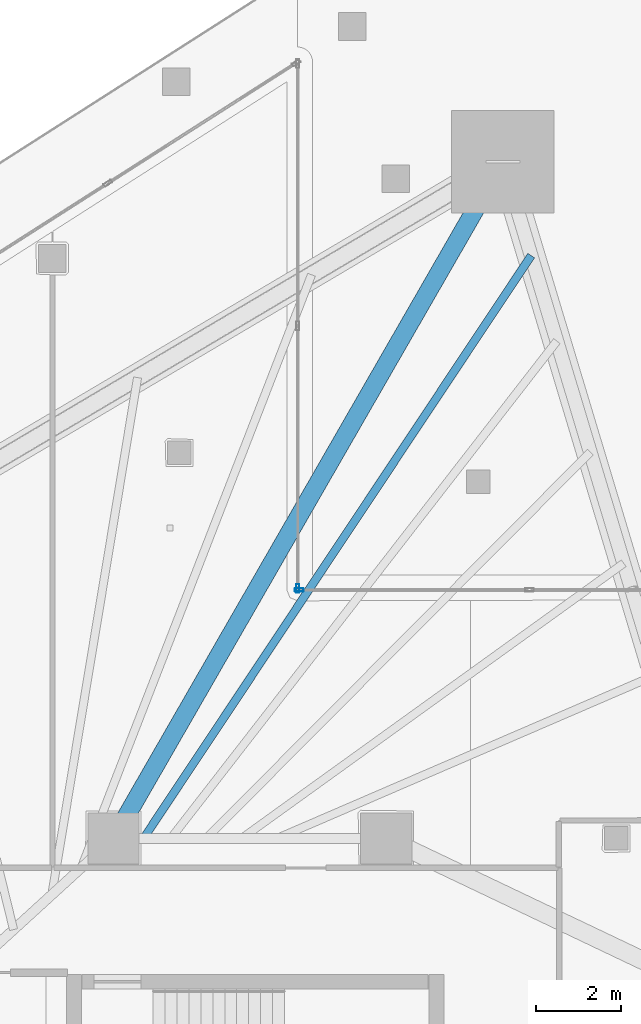
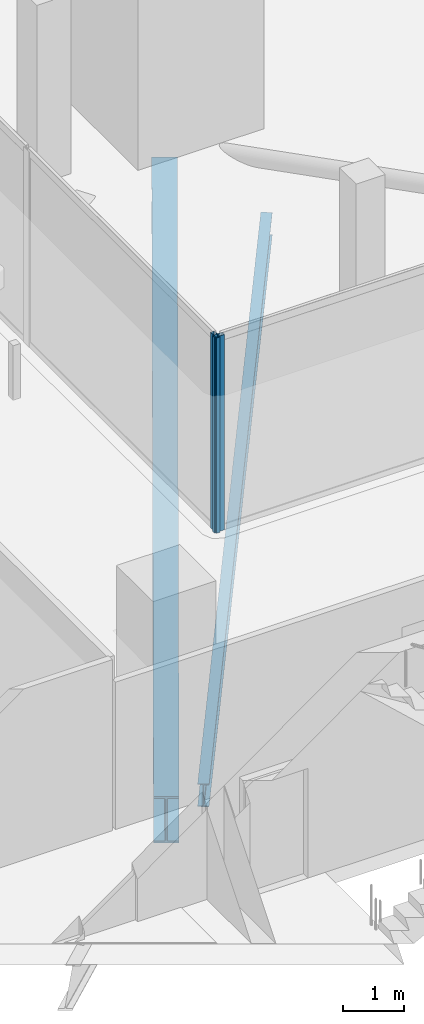
# One storey, part 18 of 47: 2 beams, 2 members, 2 elements without a shape of their own.
"""IFC4 building model written with IfcOpenShell, lengths in metres."""

from ifc_helpers import new_model, si_unit, direction, frame, origin, origin_2d, place, context, subcontext, project, spatial, hollow_rectangle, i_section, extrude, material, layer, layer_set, material_profile, profile_set, type_object, element, aggregate, save


model = new_model("IFC4")

# Units and contexts
model_context = context("Model", 3, precision=1e-05, world=origin(), true_north=direction((0.0, 1.0)))
body_context = subcontext(model_context, "Body", "Model", "MODEL_VIEW")
ifc_project = project(units=[si_unit("LENGTHUNIT", "METRE"), si_unit("AREAUNIT", "SQUARE_METRE"), si_unit("VOLUMEUNIT", "CUBIC_METRE"), si_unit("PLANEANGLEUNIT", "RADIAN"), si_unit("MASSUNIT", "GRAM", prefix="KILO")], contexts=[model_context])

# Site, building, storey
site_placement = place(None, origin())
site = spatial("IfcSite", under=ifc_project, at=site_placement, CompositionType="ELEMENT")
building_placement = place(site_placement, origin())
building = spatial("IfcBuilding", under=site, at=building_placement, Name="Qorvath Tower", CompositionType="ELEMENT")
storey_placement = place(building_placement, frame((0.0, 0.0, 74.39990234375)))
storey = spatial("IfcBuildingStorey", under=building, at=storey_placement, Name="L16", CompositionType="ELEMENT", Elevation=74.39990234375)

# Beams
ifc_material_1 = material(Name="Steel ASTM A992 Grade 50", Category="steel")
ifc_material_profile_1 = material_profile(ifc_material_1, i_section(OverallWidth=0.422119140625, OverallDepth=0.93310546875, WebThickness=0.021240234375, FlangeThickness=0.039794921875, FilletRadius=0.02392578125, at=origin_2d()), Name="W36x262")
ifc_profile_set_1 = profile_set([ifc_material_profile_1], Name="Steel ASTM A992 Grade 50")
beam_type_1 = type_object("IfcBeamType", Name="BM-FG1", PredefinedType="BEAM", material=ifc_profile_set_1)
beam_1_placement = place(storey_placement, frame((-23.60009765625, 11.449951171875, -0.746337890625), z_axis=(0.498645367714, 0.866806089767, 0.0), x_axis=(-0.866806089767, 0.498645367714, 0.0)))
element("IfcBeam", 1, at=beam_1_placement, inside=storey, type_object=beam_type_1, Name="Radial Floor Girder CC1-MC6 L16", PredefinedType="BEAM", context=body_context, shape_type="SweptSolid", body=[
    extrude(i_section(OverallWidth=0.422119140625, OverallDepth=0.93310546875, WebThickness=0.021240234375, FlangeThickness=0.039794921875, FilletRadius=0.02392578125, at=origin_2d()), origin(), (0.0, 0.0, 1.0), 18.321044921875),
])
ifc_material_2 = material(Name="Steel ASTM A992 Grade 50", Category="steel")
ifc_material_profile_2 = material_profile(ifc_material_2, i_section(OverallWidth=0.18994140625, OverallDepth=0.45703125, WebThickness=0.009033203125, FlangeThickness=0.014404296875, FilletRadius=0.011962890625, at=origin_2d()), Name="W18x50")
ifc_profile_set_2 = profile_set([ifc_material_profile_2], Name="Steel ASTM A992 Grade 50")
beam_type_2 = type_object("IfcBeamType", Name="BM-FJ2", PredefinedType="JOIST", material=ifc_profile_set_2)
beam_2_placement = place(storey_placement, frame((-22.89599609375, 11.449951171875, -0.50830078125), z_axis=(0.553811384989, 0.83264214994, 0.0), x_axis=(-0.83264214994, 0.553811384989, 0.0)))
element("IfcBeam", 2, at=beam_2_placement, inside=storey, type_object=beam_type_2, Name="Composite Floor Joist NE7 L16", PredefinedType="JOIST", context=body_context, shape_type="SweptSolid", body=[
    extrude(i_section(OverallWidth=0.18994140625, OverallDepth=0.45703125, WebThickness=0.009033203125, FlangeThickness=0.014404296875, FilletRadius=0.011962890625, at=origin_2d()), origin(), (0.0, 0.0, 1.0), 16.42333984375),
])

# Curtain wall, member
ifc_material_3 = material(Name="Anodised aluminium and triple low-E glass", Category="aluminium")
ifc_layer = layer(ifc_material_3, 0.179931640625)
ifc_layer_set = layer_set([ifc_layer], Name="CW-SYS-5")
curtain_wall_type = type_object("IfcCurtainWallType", Name="CW-SYS-5", PredefinedType="NOTDEFINED", material=ifc_layer_set)
curtain_wall_1_placement = place(storey_placement, origin())
curtain_wall_1 = element("IfcCurtainWall", 3, at=curtain_wall_1_placement, inside=storey, type_object=curtain_wall_type, Name="Curtain Wall CW-5 CW-T-L16-2.1", PredefinedType="NOTDEFINED")
ifc_material_4 = material(Name="Anodised aluminium 6063-T6", Category="aluminium")
ifc_material_profile_3 = material_profile(ifc_material_4, hollow_rectangle(XDim=0.074951171875, YDim=0.199951171875, WallThickness=0.00390625, InnerFilletRadius=0.00390625, OuterFilletRadius=0.008056640625, at=origin_2d()), Name="CWM 200x75")
ifc_profile_set_3 = profile_set([ifc_material_profile_3], Name="Anodised aluminium 6063-T6")
member_type = type_object("IfcMemberType", Name="CWM-200", PredefinedType="MULLION", material=ifc_profile_set_3)
member_1_placement = place(storey_placement, frame((-19.242431640625, 17.280029296875, 0.0), z_axis=(0.0, 0.0, 1.0), x_axis=(0.0, -1.0, 0.0)))
member_1 = element("IfcMember", 4, at=member_1_placement, type_object=member_type, Name="CW-5 mullion 4", PredefinedType="MULLION", context=body_context, shape_type="SweptSolid", body=[
    extrude(hollow_rectangle(XDim=0.074951171875, YDim=0.199951171875, WallThickness=0.00390625, InnerFilletRadius=0.00390625, OuterFilletRadius=0.008056640625, at=origin_2d()), origin(), (0.0, 0.0, 1.0), 3.920166015625),
])
aggregate(curtain_wall_1, [member_1])

curtain_wall_2_placement = place(storey_placement, origin())
curtain_wall_2 = element("IfcCurtainWall", 5, at=curtain_wall_2_placement, inside=storey, type_object=curtain_wall_type, Name="Curtain Wall CW-5 CW-T-L16-3.1", PredefinedType="NOTDEFINED")
member_2_placement = place(storey_placement, frame((-19.280029296875, 17.3173828125, 0.0), z_axis=(0.0, 0.0, 1.0), x_axis=(-1.0, 0.0, 0.0)))
member_2 = element("IfcMember", 6, at=member_2_placement, type_object=member_type, Name="CW-5 mullion 1", PredefinedType="MULLION", context=body_context, shape_type="SweptSolid", body=[
    extrude(hollow_rectangle(XDim=0.074951171875, YDim=0.199951171875, WallThickness=0.00390625, InnerFilletRadius=0.00390625, OuterFilletRadius=0.008056640625, at=origin_2d()), origin(), (0.0, 0.0, 1.0), 3.920166015625),
])
aggregate(curtain_wall_2, [member_2])

save(model, "model.ifc")
